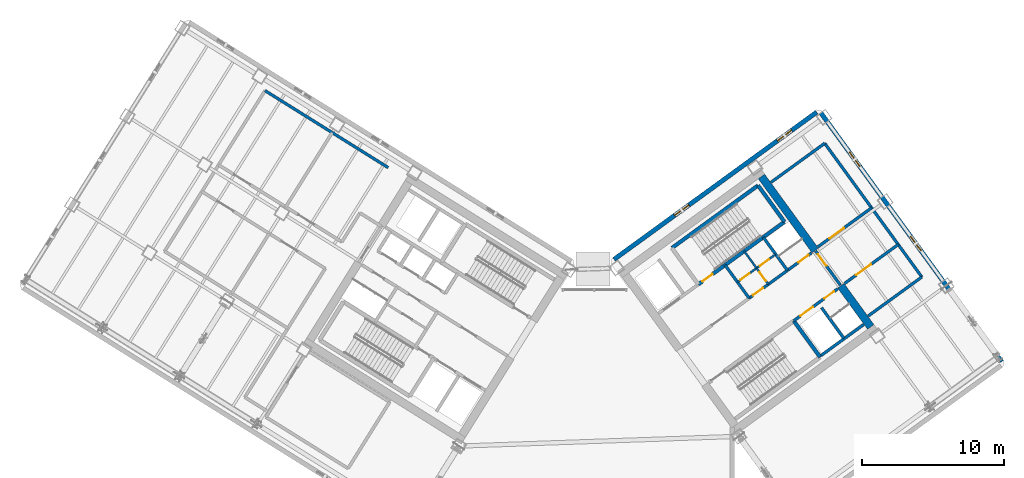
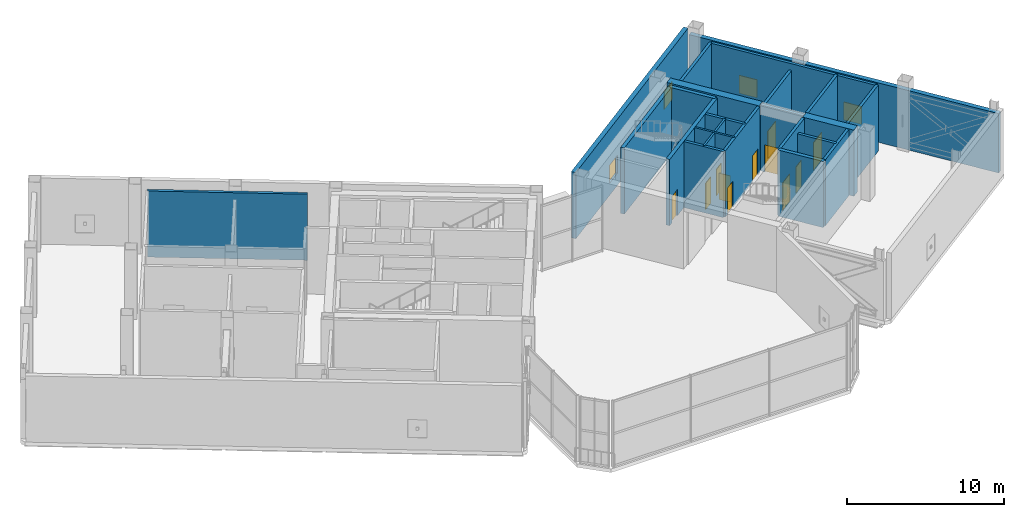
# One storey, part 23 of 30: 24 walls, 11 doors, 4 windows, 15 openings.
"""IFC4 building model written with IfcOpenShell, lengths in metres."""

import ifcopenshell
import ifcopenshell.guid

model = None  # the IFC model being written
_history = None  # IfcOwnerHistory: only IFC2X3 demands one
_inside = {}  # id of a spatial element -> (the spatial element, [elements in it])
_under = {}  # id of a project, library or spatial element -> (it, [spatial elements below it])
_declared = {}  # id of a project -> (the project, [libraries it declares])
_typed = {}  # id of a type object -> (the type object, [elements of that type])
_made_of = {}  # id of a material, layer set ... -> (it, [elements and type objects made of it])


def new_model(schema):
    """Start an empty IFC model of exactly this schema.

    Asked for "IFC4X3", IfcOpenShell would pick the latest addendum, in which some entities
    have other attributes; the version numbers below select the first issue.
    IFC2X3 requires an IfcOwnerHistory on every rooted entity: one is made here for all.
    """
    global model, _history
    if schema == "IFC4X3":
        model = ifcopenshell.file(schema_version=(4, 3, 0, 0))
    else:
        model = ifcopenshell.file(schema=schema)
    _inside.clear()
    _under.clear()
    _declared.clear()
    _typed.clear()
    _made_of.clear()
    _history = None
    if model.schema == "IFC2X3":
        org = make("IfcOrganization", Name="unknown")
        user = make(
            "IfcPersonAndOrganization",
            ThePerson=make("IfcPerson", FamilyName="unknown"),
            TheOrganization=org,
        )
        app = make(
            "IfcApplication",
            ApplicationDeveloper=org,
            Version="unknown",
            ApplicationFullName="unknown",
            ApplicationIdentifier="unknown",
        )
        _history = make(
            "IfcOwnerHistory",
            OwningUser=user,
            OwningApplication=app,
            ChangeAction="ADDED",
            CreationDate=0,
        )
    return model


def make(cls, **values):
    """One entity of the class cls with the attributes given. An attribute that is None is left unset."""
    return model.create_entity(
        cls, **{name: value for name, value in values.items() if value is not None}
    )


def rooted(cls, **values):
    """An entity with a GlobalId (a new one), such as an element, a storey or a relation."""
    return make(cls, GlobalId=ifcopenshell.guid.new(), OwnerHistory=_history, **values)


def si_unit(unit_type, name, prefix=None):
    """IfcSIUnit, for example si_unit("LENGTHUNIT", "METRE", prefix="MILLI")."""
    return make("IfcSIUnit", UnitType=unit_type, Prefix=prefix, Name=name)


def assignment(units):
    """IfcUnitAssignment: the units of a project."""
    return None if units is None else make("IfcUnitAssignment", Units=units)


def point(xyz):
    """IfcCartesianPoint."""
    return None if xyz is None else make("IfcCartesianPoint", Coordinates=xyz)


def direction(xyz):
    """IfcDirection."""
    return None if xyz is None else make("IfcDirection", DirectionRatios=xyz)


def frame(location, z_axis=None, x_axis=None):
    """IfcAxis2Placement3D, a coordinate frame: its origin and axes. An axis left out is left unset."""
    return make(
        "IfcAxis2Placement3D",
        Location=point(location),
        Axis=direction(z_axis),
        RefDirection=direction(x_axis),
    )


def frame_2d(location, x_axis=None):
    """IfcAxis2Placement2D, a coordinate frame in the plane: its origin and x axis."""
    return make(
        "IfcAxis2Placement2D", Location=point(location), RefDirection=direction(x_axis)
    )


def origin():
    """The frame at (0, 0, 0) with its axes left unset."""
    return frame((0.0, 0.0, 0.0))


def place(relative_to, where):
    """IfcLocalPlacement: puts the frame where relative to a parent placement (None: the world)."""
    return make(
        "IfcLocalPlacement", PlacementRelTo=relative_to, RelativePlacement=where
    )


def context(
    kind, dimensions, precision=None, world=None, true_north=None, identifier=None
):
    """IfcGeometricRepresentationContext, for example the 3D "Model" context."""
    return make(
        "IfcGeometricRepresentationContext",
        ContextIdentifier=identifier,
        ContextType=kind,
        CoordinateSpaceDimension=dimensions,
        Precision=precision,
        WorldCoordinateSystem=world,
        TrueNorth=true_north,
    )


def subcontext(parent, identifier, kind, view, scale=None):
    """IfcGeometricRepresentationSubContext, for example "Body" below "Model"."""
    return make(
        "IfcGeometricRepresentationSubContext",
        ContextIdentifier=identifier,
        ContextType=kind,
        ParentContext=parent,
        TargetScale=scale,
        TargetView=view,
    )


def project(units=None, contexts=None):
    """IfcProject with its units and contexts."""
    return rooted(
        "IfcProject",
        Name="project",
        RepresentationContexts=contexts,
        UnitsInContext=assignment(units),
    )


def spatial(cls, under=None, at=None, **own):
    """A site, building, storey or space (cls), placed at a placement, below another one or the project."""
    s = rooted(cls, ObjectPlacement=at, **own)
    if under is not None:
        _under.setdefault(under.id(), (under, []))[1].append(s)
    return s


def profile(cls, at=None, kind="AREA", **sizes):
    """A parametric profile (cls). Its sizes go by their IFC names, for example OverallWidth=200.0."""
    return make(cls, ProfileType=kind, Position=at, **sizes)


def rectangle(**sizes):
    """IfcRectangleProfileDef."""
    return profile("IfcRectangleProfileDef", **sizes)


def extrude(swept, where, along, depth):
    """IfcExtrudedAreaSolid: the profile swept, set in the frame where, extruded along a direction by depth."""
    return make(
        "IfcExtrudedAreaSolid",
        SweptArea=swept,
        Position=where,
        ExtrudedDirection=direction(along),
        Depth=depth,
    )


def shape(context_of_items, identifier, shape_type, items):
    """IfcShapeRepresentation: the items that make up one representation, for example the "Body"."""
    return make(
        "IfcShapeRepresentation",
        ContextOfItems=context_of_items,
        RepresentationIdentifier=identifier,
        RepresentationType=shape_type,
        Items=items,
    )


def source(mapping_origin, context_of_items, identifier, shape_type, items):
    """IfcRepresentationMap: a shape defined once, which mapped items show again and again."""
    return make(
        "IfcRepresentationMap",
        MappingOrigin=mapping_origin,
        MappedRepresentation=shape(context_of_items, identifier, shape_type, items),
    )


def transform(
    local_origin,
    x_axis=None,
    y_axis=None,
    z_axis=None,
    scale=None,
    scale2=None,
    scale3=None,
    uniform=True,
):
    """IfcCartesianTransformationOperator3D, or its non-uniform kind. x_axis, y_axis, z_axis: its Axis1, 2, 3."""
    if uniform:
        return make(
            "IfcCartesianTransformationOperator3D",
            Axis1=direction(x_axis),
            Axis2=direction(y_axis),
            LocalOrigin=point(local_origin),
            Scale=scale,
            Axis3=direction(z_axis),
        )
    return make(
        "IfcCartesianTransformationOperator3DnonUniform",
        Axis1=direction(x_axis),
        Axis2=direction(y_axis),
        LocalOrigin=point(local_origin),
        Scale=scale,
        Axis3=direction(z_axis),
        Scale2=scale2,
        Scale3=scale3,
    )


def mapped(mapping_source, mapping_target):
    """IfcMappedItem: shows the shape of a source again, moved by a transform."""
    return make(
        "IfcMappedItem", MappingSource=mapping_source, MappingTarget=mapping_target
    )


def material(Name=None, Category=None):
    """IfcMaterial."""
    return make("IfcMaterial", Name=Name, Category=Category)


def layer(
    of_material, thickness, ventilated=None, Name=None, Category=None, Priority=None
):
    """IfcMaterialLayer: one layer of a wall or slab, of a material (None: an air gap)."""
    return make(
        "IfcMaterialLayer",
        Material=of_material,
        LayerThickness=thickness,
        IsVentilated=ventilated,
        Name=Name,
        Category=Category,
        Priority=Priority,
    )


def layer_set(layers, Name=None):
    """IfcMaterialLayerSet."""
    return make("IfcMaterialLayerSet", MaterialLayers=layers, LayerSetName=Name)


def made_of(thing, what):
    """Note that an element or type object is made of a material, layer set ...; save() writes the relation."""
    if what is not None:
        _made_of.setdefault(what.id(), (what, []))[1].append(thing)
    return thing


def type_object(cls, material=None, **own):
    """A type object (cls), such as IfcWallType, which elements share."""
    return made_of(rooted(cls, **own), material)


def element(
    cls,
    number,
    at=None,
    inside=None,
    cuts=None,
    type_object=None,
    material=None,
    context=None,
    identifier="Body",
    shape_type=None,
    held_by="IfcProductDefinitionShape",
    body=None,
    shapes=None,
    **own,
):
    """One element of the class cls, such as IfcWall. Its Tag is "e" and its number.

    at: its placement. inside: the storey or other place that contains it. cuts: it is an
    opening in that element (IfcRelVoidsElement). A single representation is given by context,
    identifier, shape_type and body (its items); several are given by shapes. held_by: the class
    of the entity that holds the representations. save() writes the other relations.
    """
    e = rooted(cls, Tag="e%d" % number, ObjectPlacement=at, **own)
    if body is not None:
        shapes = [shape(context, identifier, shape_type, body)]
    if shapes is not None:
        e.Representation = make(held_by, Representations=shapes)
    if inside is not None:
        _inside.setdefault(inside.id(), (inside, []))[1].append(e)
    if cuts is not None:
        rooted(
            "IfcRelVoidsElement", RelatingBuildingElement=cuts, RelatedOpeningElement=e
        )
    if type_object is not None:
        _typed.setdefault(type_object.id(), (type_object, []))[1].append(e)
    return made_of(e, material)


def fill(opening, filler):
    """IfcRelFillsElement: the door or window that sits in an opening."""
    return rooted(
        "IfcRelFillsElement",
        RelatingOpeningElement=opening,
        RelatedBuildingElement=filler,
    )


def aggregate(whole, parts):
    """IfcRelAggregates: a whole, such as a stair, and the parts it consists of."""
    return rooted("IfcRelAggregates", RelatingObject=whole, RelatedObjects=parts)


def save(model, path):
    """Write the relations noted so far, then the file.

    IfcRelAggregates (storeys below a building ...), IfcRelContainedInSpatialStructure (elements
    in a storey), IfcRelDefinesByType, IfcRelAssociatesMaterial and IfcRelDeclares: one each for
    every whole, place, type object, material and project.
    """
    for whole, parts in _under.values():
        aggregate(whole, parts)
    for where, things in _inside.values():
        rooted(
            "IfcRelContainedInSpatialStructure",
            RelatedElements=things,
            RelatingStructure=where,
        )
    for kind, things in _typed.values():
        rooted("IfcRelDefinesByType", RelatedObjects=things, RelatingType=kind)
    for what, things in _made_of.values():
        rooted("IfcRelAssociatesMaterial", RelatedObjects=things, RelatingMaterial=what)
    for by, libraries in _declared.values():
        rooted("IfcRelDeclares", RelatingContext=by, RelatedDefinitions=libraries)
    model.write(path)


model = new_model("IFC4")

# Units and contexts
model_context = context("Model", 3, precision=1e-05, world=origin(), true_north=direction((0.0, 1.0)))
body_context = subcontext(model_context, "Body", "Model", "MODEL_VIEW")
ifc_project = project(units=[si_unit("LENGTHUNIT", "METRE"), si_unit("AREAUNIT", "SQUARE_METRE"), si_unit("VOLUMEUNIT", "CUBIC_METRE"), si_unit("PLANEANGLEUNIT", "RADIAN"), si_unit("MASSUNIT", "GRAM", prefix="KILO")], contexts=[model_context])

# Site, building, storey
site_placement = place(None, origin())
site = spatial("IfcSite", under=ifc_project, at=site_placement, CompositionType="ELEMENT")
building_placement = place(site_placement, origin())
building = spatial("IfcBuilding", under=site, at=building_placement, Name="Tlacorven Tower", CompositionType="ELEMENT")
storey_placement = place(building_placement, frame((0.0, 0.0, 169.5)))
storey = spatial("IfcBuildingStorey", under=building, at=storey_placement, Name="L43", CompositionType="ELEMENT", Elevation=169.5)

# Walls
ifc_material_1 = material(Name="Concrete C60/75", Category="concrete")
ifc_layer_1 = layer(ifc_material_1, 0.550048828125)
ifc_layer_set_1 = layer_set([ifc_layer_1], Name="Concrete C60/75")
wall_type_1 = type_object("IfcWallType", Name="WL-COR-550", PredefinedType="SHEAR", material=ifc_layer_set_1)
wall_1_placement = place(storey_placement, frame((61.9580078125, 20.453857421875, 0.0), z_axis=(0.0, 0.0, 1.0), x_axis=(-0.587802113096, 0.809004744015, 0.0)))
element("IfcWall", 1, at=wall_1_placement, inside=storey, type_object=wall_type_1, Name="L43 E core end wall E2.1", PredefinedType="SHEAR", context=body_context, shape_type="SweptSolid", body=[
    extrude(rectangle(XDim=3.574951171875, YDim=0.550048828125, at=frame_2d((1.78759765625, 0.0))), origin(), (0.0, 0.0, 1.0), 5.14990234375),
])
wall_2_placement = place(storey_placement, frame((58.06396484375, 25.8134765625, 0.0), z_axis=(0.0, 0.0, 1.0), x_axis=(-0.587764933797, 0.809031756236, 0.0)))
element("IfcWall", 2, at=wall_2_placement, inside=storey, type_object=wall_type_1, Name="L43 E core end wall E2.2", PredefinedType="SHEAR", context=body_context, shape_type="SweptSolid", body=[
    extrude(rectangle(XDim=6.425048828125, YDim=0.550048828125, at=frame_2d((3.21240234375, 0.0))), origin(), (0.0, 0.0, 1.0), 5.14990234375),
])

# Wall, openings, windows
ifc_material_2 = material(Name="Precast concrete C45/55", Category="concrete")
ifc_layer_2 = layer(ifc_material_2, 0.320068359375)
ifc_layer_set_2 = layer_set([ifc_layer_2], Name="Precast concrete C45/55")
wall_type_2 = type_object("IfcWallType", Name="WL-EXT-320", PredefinedType="STANDARD", material=ifc_layer_set_2)
wall_3_placement = place(storey_placement, frame((43.93798828125, 25.191650390625, 0.0), z_axis=(0.0, 0.0, 1.0), x_axis=(0.809016324578, 0.587786174187, 0.0)))
wall_3 = element("IfcWall", 3, at=wall_3_placement, inside=storey, type_object=wall_type_2, Name="L43 Masonry-Frame Recessed Facade Wall 4", PredefinedType="STANDARD", context=body_context, shape_type="SweptSolid", body=[
    extrude(rectangle(XDim=17.58740234375, YDim=0.320068359375, at=frame_2d((8.793701171875, 0.0))), origin(), (0.0, 0.0, 1.0), 5.14990234375),
])
opening_1_placement = place(wall_3_placement, frame((5.24951171875, 0.0, 0.949951171875)))
opening_1 = element("IfcOpeningElement", 4, at=opening_1_placement, cuts=wall_3, Name="Opening WN20", PredefinedType="OPENING", context=body_context, shape_type="SweptSolid", body=[
    extrude(rectangle(XDim=1.25, YDim=1.39990234375, at=frame_2d((0.625, 0.699951171875))), frame((0.0, 0.169921875, 0.0), z_axis=(0.0, -1.0, 0.0), x_axis=(1.0, 0.0, 0.0)), (0.0, 0.0, 1.0), 0.340087890625),
])
opening_2_placement = place(wall_3_placement, frame((14.168701171875, 0.0, 0.949951171875)))
opening_2 = element("IfcOpeningElement", 5, at=opening_2_placement, cuts=wall_3, Name="Opening WN20", PredefinedType="OPENING", context=body_context, shape_type="SweptSolid", body=[
    extrude(rectangle(XDim=1.25, YDim=1.39990234375, at=frame_2d((0.625, 0.699951171875))), frame((0.0, 0.169921875, 0.0), z_axis=(0.0, -1.0, 0.0), x_axis=(1.0, 0.0, 0.0)), (0.0, 0.0, 1.0), 0.340087890625),
])
ifc_material_3 = material(Name="Dark solar low-E double glazing in anodised aluminium frame", Category="aluminium")
window_type = type_object("IfcWindowType", Name="WN-CRN-1250X1500", PartitioningType="SINGLE_PANEL", PredefinedType="WINDOW", material=ifc_material_3)
shared_shape_1 = source(origin(), body_context, "Body", "SweptSolid", [
    extrude(rectangle(XDim=1.25, YDim=1.39990234375, at=frame_2d((0.625, 0.699951171875))), frame((0.0, 0.030029296875, 0.0), z_axis=(0.0, -1.0, 0.0), x_axis=(1.0, 0.0, 0.0)), (0.0, 0.0, 1.0), 0.06005859375),
])
window_1_placement = place(opening_1_placement, origin())
window_1 = element("IfcWindow", 6, at=window_1_placement, inside=storey, type_object=window_type, Name="L43 Acoustic Plant Facade Window 4.1", OverallHeight=1.39990234375, OverallWidth=1.25, PartitioningType="SINGLE_PANEL", PredefinedType="WINDOW", context=body_context, shape_type="MappedRepresentation", body=[
    mapped(shared_shape_1, transform((0.0, 0.0, 0.0), scale=1.0)),
])
fill(opening_1, window_1)
window_2_placement = place(opening_2_placement, origin())
window_2 = element("IfcWindow", 7, at=window_2_placement, inside=storey, type_object=window_type, Name="L43 Acoustic Plant Facade Window 4.2", OverallHeight=1.39990234375, OverallWidth=1.25, PartitioningType="SINGLE_PANEL", PredefinedType="WINDOW", context=body_context, shape_type="MappedRepresentation", body=[
    mapped(shared_shape_1, transform((0.0, 0.0, 0.0), scale=1.0)),
])
fill(opening_2, window_2)

wall_4_placement = place(storey_placement, frame((58.45458984375, 35.483642578125, 0.0), z_axis=(0.0, 0.0, 1.0), x_axis=(0.587783625747, -0.809018176127, 0.0)))
wall_4 = element("IfcWall", 8, at=wall_4_placement, inside=storey, type_object=wall_type_2, Name="L43 Masonry-Frame Recessed Facade Wall 5", PredefinedType="STANDARD", context=body_context, shape_type="SweptSolid", body=[
    extrude(rectangle(XDim=21.58740234375, YDim=0.320068359375, at=frame_2d((10.793701171875, 0.0))), origin(), (0.0, 0.0, 1.0), 4.625),
])
opening_3_placement = place(wall_4_placement, frame((3.418701171875, 0.0, 0.949951171875)))
opening_3 = element("IfcOpeningElement", 9, at=opening_3_placement, cuts=wall_4, Name="Opening WN20", PredefinedType="OPENING", context=body_context, shape_type="SweptSolid", body=[
    extrude(rectangle(XDim=1.25, YDim=1.39990234375, at=frame_2d((0.625, 0.699951171875))), frame((0.0, 0.169921875, 0.0), z_axis=(0.0, -1.0, 0.0), x_axis=(1.0, 0.0, 0.0)), (0.0, 0.0, 1.0), 0.340087890625),
])
opening_4_placement = place(wall_4_placement, frame((10.71875, 0.0, 0.949951171875)))
opening_4 = element("IfcOpeningElement", 10, at=opening_4_placement, cuts=wall_4, Name="Opening WN20", PredefinedType="OPENING", context=body_context, shape_type="SweptSolid", body=[
    extrude(rectangle(XDim=1.25, YDim=1.39990234375, at=frame_2d((0.625, 0.699951171875))), frame((0.0, 0.169921875, 0.0), z_axis=(0.0, -1.0, 0.0), x_axis=(1.0, 0.0, 0.0)), (0.0, 0.0, 1.0), 0.340087890625),
])
window_3_placement = place(opening_3_placement, origin())
window_3 = element("IfcWindow", 11, at=window_3_placement, inside=storey, type_object=window_type, Name="L43 Acoustic Plant Facade Window 5.1", OverallHeight=1.39990234375, OverallWidth=1.25, PartitioningType="SINGLE_PANEL", PredefinedType="WINDOW", context=body_context, shape_type="MappedRepresentation", body=[
    mapped(shared_shape_1, transform((0.0, 0.0, 0.0), scale=1.0)),
])
fill(opening_3, window_3)
window_4_placement = place(opening_4_placement, origin())
window_4 = element("IfcWindow", 12, at=window_4_placement, inside=storey, type_object=window_type, Name="L43 Acoustic Plant Facade Window 5.2", OverallHeight=1.39990234375, OverallWidth=1.25, PartitioningType="SINGLE_PANEL", PredefinedType="WINDOW", context=body_context, shape_type="MappedRepresentation", body=[
    mapped(shared_shape_1, transform((0.0, 0.0, 0.0), scale=1.0)),
])
fill(opening_4, window_4)

# Wall, opening, door
ifc_material_4 = material(Name="Moisture-resistant gypsum plumbing wall", Category="gypsum")
ifc_layer_3 = layer(ifc_material_4, 0.139892578125)
ifc_layer_set_3 = layer_set([ifc_layer_3], Name="Moisture-resistant gypsum plumbing wall")
wall_type_3 = type_object("IfcWallType", Name="WL-PLM-140", PredefinedType="PLUMBINGWALL", material=ifc_layer_set_3)
wall_5_placement = place(storey_placement, frame((54.767578125, 23.443359375, 0.0), z_axis=(0.0, 0.0, 1.0), x_axis=(-0.587736077749, 0.809052719489, 0.0)))
wall_5 = element("IfcWall", 13, at=wall_5_placement, inside=storey, type_object=wall_type_3, Name="L43 partition 42", PredefinedType="PLUMBINGWALL", context=body_context, shape_type="SweptSolid", body=[
    extrude(rectangle(XDim=1.39990234375, YDim=0.139892578125, at=frame_2d((0.699951171875, 0.0))), origin(), (0.0, 0.0, 1.0), 5.139892578125),
])
opening_5_placement = place(wall_5_placement, frame((0.280029296875, 0.0, 0.0)))
opening_5 = element("IfcOpeningElement", 14, at=opening_5_placement, cuts=wall_5, Name="Opening D22", PredefinedType="OPENING", context=body_context, shape_type="SweptSolid", body=[
    extrude(rectangle(XDim=0.780029296875, YDim=2.050048828125, at=frame_2d((0.39013671875, 1.02490234375))), frame((0.0, 0.080078125, 0.0), z_axis=(0.0, -1.0, 0.0), x_axis=(1.0, 0.0, 0.0)), (0.0, 0.0, 1.0), 0.159912109375),
])
ifc_material_5 = material(Name="Powder-coated aluminium and timber door", Category="wood")
door_type_1 = type_object("IfcDoorType", Name="DR-INT-WET-0780", OperationType="NOTDEFINED", PredefinedType="DOOR", material=ifc_material_5)
shared_shape_2 = source(origin(), body_context, "Body", "SweptSolid", [
    extrude(rectangle(XDim=0.780029296875, YDim=2.050048828125, at=frame_2d((0.39013671875, 1.02490234375))), frame((0.0, 0.02490234375, 0.0), z_axis=(0.0, -1.0, 0.0), x_axis=(1.0, 0.0, 0.0)), (0.0, 0.0, 1.0), 0.050048828125),
])
door_1_placement = place(opening_5_placement, origin())
door_1 = element("IfcDoor", 15, at=door_1_placement, inside=storey, type_object=door_type_1, Name="L43 door 020", OperationType="SINGLE_SWING_LEFT", OverallHeight=2.050048828125, OverallWidth=0.780029296875, PredefinedType="DOOR", context=body_context, shape_type="MappedRepresentation", body=[
    mapped(shared_shape_2, transform((0.0, 0.0, 0.0), scale=1.0)),
])
fill(opening_5, door_1)

# Wall
wall_6_placement = place(storey_placement, frame((53.94482421875, 24.575927734375, 0.0), z_axis=(0.0, 0.0, 1.0), x_axis=(-0.587897037186, 0.808935766095, 0.0)))
element("IfcWall", 16, at=wall_6_placement, inside=storey, type_object=wall_type_3, Name="L43 partition 43", PredefinedType="PLUMBINGWALL", context=body_context, shape_type="SweptSolid", body=[
    extrude(rectangle(XDim=1.47998046875, YDim=0.139892578125, at=frame_2d((0.739990234375, 0.0))), origin(), (0.0, 0.0, 1.0), 5.139892578125),
])

# Wall, openings, doors
wall_7_placement = place(storey_placement, frame((52.617919921875, 23.612060546875, 0.0), z_axis=(0.0, 0.0, 1.0), x_axis=(0.809009587469, 0.587795446889, 0.0)))
wall_7 = element("IfcWall", 17, at=wall_7_placement, inside=storey, type_object=wall_type_3, Name="L43 partition 44", PredefinedType="PLUMBINGWALL", context=body_context, shape_type="SweptSolid", body=[
    extrude(rectangle(XDim=3.280029296875, YDim=0.139892578125, at=frame_2d((1.64013671875, 0.0))), origin(), (0.0, 0.0, 1.0), 5.139892578125),
])
opening_6_placement = place(wall_7_placement, frame((0.25, 0.0, 0.0)))
opening_6 = element("IfcOpeningElement", 18, at=opening_6_placement, cuts=wall_7, Name="Opening D22", PredefinedType="OPENING", context=body_context, shape_type="SweptSolid", body=[
    extrude(rectangle(XDim=0.780029296875, YDim=2.050048828125, at=frame_2d((0.39013671875, 1.02490234375))), frame((0.0, 0.080078125, 0.0), z_axis=(0.0, -1.0, 0.0), x_axis=(1.0, 0.0, 0.0)), (0.0, 0.0, 1.0), 0.159912109375),
])
opening_7_placement = place(wall_7_placement, frame((1.919921875, 0.0, 0.0)))
opening_7 = element("IfcOpeningElement", 19, at=opening_7_placement, cuts=wall_7, Name="Opening D22", PredefinedType="OPENING", context=body_context, shape_type="SweptSolid", body=[
    extrude(rectangle(XDim=0.780029296875, YDim=2.050048828125, at=frame_2d((0.39013671875, 1.02490234375))), frame((0.0, 0.080078125, 0.0), z_axis=(0.0, -1.0, 0.0), x_axis=(1.0, 0.0, 0.0)), (0.0, 0.0, 1.0), 0.159912109375),
])
door_2_placement = place(opening_6_placement, origin())
door_2 = element("IfcDoor", 20, at=door_2_placement, inside=storey, type_object=door_type_1, Name="L43 door 021", OperationType="SINGLE_SWING_RIGHT", OverallHeight=2.050048828125, OverallWidth=0.780029296875, PredefinedType="DOOR", context=body_context, shape_type="MappedRepresentation", body=[
    mapped(shared_shape_2, transform((0.0, 0.0, 0.0), scale=1.0)),
])
fill(opening_6, door_2)
door_3_placement = place(opening_7_placement, origin())
door_3 = element("IfcDoor", 21, at=door_3_placement, inside=storey, type_object=door_type_1, Name="L43 door 022", OperationType="SINGLE_SWING_LEFT", OverallHeight=2.050048828125, OverallWidth=0.780029296875, PredefinedType="DOOR", context=body_context, shape_type="MappedRepresentation", body=[
    mapped(shared_shape_2, transform((0.0, 0.0, 0.0), scale=1.0)),
])
fill(opening_7, door_3)

ifc_material_6 = material(Name="Concrete C40/50", Category="concrete")
ifc_layer_4 = layer(ifc_material_6, 0.199951171875)
ifc_layer_set_4 = layer_set([ifc_layer_4], Name="Concrete C40/50")
wall_type_4 = type_object("IfcWallType", Name="WL-SHF-200", PredefinedType="STANDARD", material=ifc_layer_set_4)
wall_8_placement = place(storey_placement, frame((56.552978515625, 20.884033203125, 0.0), z_axis=(0.0, 0.0, 1.0), x_axis=(0.809023564264, 0.58777620951, 0.0)))
wall_8 = element("IfcWall", 22, at=wall_8_placement, inside=storey, type_object=wall_type_4, Name="L43 Core E South Lift Shaft Wall", PredefinedType="STANDARD", context=body_context, shape_type="SweptSolid", body=[
    extrude(rectangle(XDim=3.818115234375, YDim=0.199951171875, at=frame_2d((1.9091796875, 0.0))), origin(), (0.0, 0.0, 1.0), 5.139892578125),
])
opening_8_placement = place(wall_8_placement, frame((0.570068359375, 0.0, 0.0)))
opening_8 = element("IfcOpeningElement", 23, at=opening_8_placement, cuts=wall_8, Name="Opening LD01", PredefinedType="OPENING", context=body_context, shape_type="SweptSolid", body=[
    extrude(rectangle(XDim=1.10009765625, YDim=2.14990234375, at=frame_2d((0.550048828125, 1.074951171875))), frame((0.0, 0.10986328125, 0.0), z_axis=(0.0, -1.0, 0.0), x_axis=(1.0, 0.0, 0.0)), (0.0, 0.0, 1.0), 0.219970703125),
])
opening_9_placement = place(wall_8_placement, frame((2.64990234375, 0.0, 0.0)))
opening_9 = element("IfcOpeningElement", 24, at=opening_9_placement, cuts=wall_8, Name="Opening D19", PredefinedType="OPENING", context=body_context, shape_type="SweptSolid", body=[
    extrude(rectangle(XDim=0.860107421875, YDim=2.050048828125, at=frame_2d((0.43017578125, 1.02490234375))), frame((0.0, 0.10986328125, 0.0), z_axis=(0.0, -1.0, 0.0), x_axis=(1.0, 0.0, 0.0)), (0.0, 0.0, 1.0), 0.219970703125),
])
ifc_material_7 = material(Name="Fire-rated steel door assembly", Category="steel")
door_type_2 = type_object("IfcDoorType", Name="DR-RSR-FD60-0860", OperationType="NOTDEFINED", PredefinedType="DOOR", material=ifc_material_7)
shared_shape_3 = source(origin(), body_context, "Body", "SweptSolid", [
    extrude(rectangle(XDim=0.860107421875, YDim=2.050048828125, at=frame_2d((0.43017578125, 1.02490234375))), frame((0.0, 0.02490234375, 0.0), z_axis=(0.0, -1.0, 0.0), x_axis=(1.0, 0.0, 0.0)), (0.0, 0.0, 1.0), 0.050048828125),
])
door_4_placement = place(opening_9_placement, origin())
door_4 = element("IfcDoor", 25, at=door_4_placement, inside=storey, type_object=door_type_2, Name="L43 Smoke Extract Riser Access Door", OperationType="SINGLE_SWING_RIGHT", OverallHeight=2.050048828125, OverallWidth=0.860107421875, PredefinedType="DOOR", context=body_context, shape_type="MappedRepresentation", body=[
    mapped(shared_shape_3, transform((0.0, 0.0, 0.0), scale=1.0)),
])
fill(opening_9, door_4)
door_type_3 = type_object("IfcDoorType", Name="DR-LFT-SLID-1100", OperationType="DOUBLE_DOOR_SLIDING", PredefinedType="DOOR", material=ifc_material_7)
shared_shape_4 = source(origin(), body_context, "Body", "SweptSolid", [
    extrude(rectangle(XDim=1.10009765625, YDim=2.14990234375, at=frame_2d((0.550048828125, 1.074951171875))), frame((0.0, 0.02490234375, 0.0), z_axis=(0.0, -1.0, 0.0), x_axis=(1.0, 0.0, 0.0)), (0.0, 0.0, 1.0), 0.050048828125),
])
door_5_placement = place(opening_8_placement, origin())
door_5 = element("IfcDoor", 26, at=door_5_placement, inside=storey, type_object=door_type_3, Name="L43 Lift PL-M4 Sliding Landing Door", OperationType="DOUBLE_DOOR_SLIDING", OverallHeight=2.14990234375, OverallWidth=1.10009765625, PredefinedType="DOOR", context=body_context, shape_type="MappedRepresentation", body=[
    mapped(shared_shape_4, transform((0.0, 0.0, 0.0), scale=1.0)),
])
fill(opening_8, door_5)

# Walls
wall_9_placement = place(storey_placement, frame((60.066650390625, 19.654541015625, 0.0), z_axis=(0.0, 0.0, 1.0), x_axis=(-0.587800520745, 0.809005900975, 0.0)))
element("IfcWall", 27, at=wall_9_placement, inside=storey, type_object=wall_type_4, Name="L43 partition 35", PredefinedType="STANDARD", context=body_context, shape_type="SweptSolid", body=[
    extrude(rectangle(XDim=2.659912109375, YDim=0.199951171875, at=frame_2d((1.330078125, 0.0))), origin(), (0.0, 0.0, 1.0), 5.139892578125),
])
wall_10_placement = place(storey_placement, frame((58.47216796875, 18.446533203125, 0.0), z_axis=(0.0, 0.0, 1.0), x_axis=(0.809018631237, 0.587782999339, 0.0)))
element("IfcWall", 28, at=wall_10_placement, inside=storey, type_object=wall_type_4, Name="L43 partition 37", PredefinedType="STANDARD", context=body_context, shape_type="SweptSolid", body=[
    extrude(rectangle(XDim=3.697998046875, YDim=0.199951171875, at=frame_2d((1.84912109375, 0.0))), origin(), (0.0, 0.0, 1.0), 5.139892578125),
])
wall_11_placement = place(storey_placement, frame((53.424560546875, 22.467529296875, 0.0), z_axis=(0.0, 0.0, 1.0), x_axis=(-0.5877230039, 0.809062216821, 0.0)))
element("IfcWall", 29, at=wall_11_placement, inside=storey, type_object=wall_type_4, Name="L43 partition 39", PredefinedType="STANDARD", context=body_context, shape_type="SweptSolid", body=[
    extrude(rectangle(XDim=2.8798828125, YDim=0.199951171875, at=frame_2d((1.43994140625, 0.0))), origin(), (0.0, 0.0, 1.0), 5.139892578125),
])
wall_12_placement = place(storey_placement, frame((56.110595703125, 24.4189453125, 0.0), z_axis=(0.0, 0.0, 1.0), x_axis=(-0.58777848983, 0.809021907548, 0.0)))
element("IfcWall", 30, at=wall_12_placement, inside=storey, type_object=wall_type_4, Name="L43 partition 40", PredefinedType="STANDARD", context=body_context, shape_type="SweptSolid", body=[
    extrude(rectangle(XDim=2.880126953125, YDim=0.199951171875, at=frame_2d((1.43994140625, 0.0))), origin(), (0.0, 0.0, 1.0), 5.139892578125),
])

# Wall, openings, doors
wall_13_placement = place(storey_placement, frame((53.424560546875, 22.467529296875, 0.0), z_axis=(0.0, 0.0, 1.0), x_axis=(0.809024377198, 0.587775090574, 0.0)))
wall_13 = element("IfcWall", 31, at=wall_13_placement, inside=storey, type_object=wall_type_4, Name="L43 Core E North Service Wall", PredefinedType="STANDARD", context=body_context, shape_type="SweptSolid", body=[
    extrude(rectangle(XDim=5.41796875, YDim=0.199951171875, at=frame_2d((2.708984375, 0.0))), origin(), (0.0, 0.0, 1.0), 5.139892578125),
])
opening_10_placement = place(wall_13_placement, frame((4.280029296875, 0.0, 0.0)))
opening_10 = element("IfcOpeningElement", 32, at=opening_10_placement, cuts=wall_13, Name="Opening D19", PredefinedType="OPENING", context=body_context, shape_type="SweptSolid", body=[
    extrude(rectangle(XDim=0.860107421875, YDim=2.050048828125, at=frame_2d((0.43017578125, 1.02490234375))), frame((0.0, 0.10986328125, 0.0), z_axis=(0.0, -1.0, 0.0), x_axis=(1.0, 0.0, 0.0)), (0.0, 0.0, 1.0), 0.219970703125),
])
opening_11_placement = place(wall_13_placement, frame((0.35009765625, 0.0, 0.0)))
opening_11 = element("IfcOpeningElement", 33, at=opening_11_placement, cuts=wall_13, Name="Opening D19", PredefinedType="OPENING", context=body_context, shape_type="SweptSolid", body=[
    extrude(rectangle(XDim=0.860107421875, YDim=2.050048828125, at=frame_2d((0.43017578125, 1.02490234375))), frame((0.0, 0.10986328125, 0.0), z_axis=(0.0, -1.0, 0.0), x_axis=(1.0, 0.0, 0.0)), (0.0, 0.0, 1.0), 0.219970703125),
])
door_6_placement = place(opening_10_placement, frame((0.860107421875, 0.0, 0.0), z_axis=(0.0, 0.0, 1.0), x_axis=(-1.0, 0.0, 0.0)))
door_6 = element("IfcDoor", 34, at=door_6_placement, inside=storey, type_object=door_type_2, Name="L43 Electrical Riser Access Door E", OperationType="SINGLE_SWING_LEFT", OverallHeight=2.050048828125, OverallWidth=0.860107421875, PredefinedType="DOOR", context=body_context, shape_type="MappedRepresentation", body=[
    mapped(shared_shape_3, transform((0.0, 0.0, 0.0), scale=1.0)),
])
fill(opening_10, door_6)
door_7_placement = place(opening_11_placement, frame((0.860107421875, 0.0, 0.0), z_axis=(0.0, 0.0, 1.0), x_axis=(-1.0, 0.0, 0.0)))
door_7 = element("IfcDoor", 35, at=door_7_placement, inside=storey, type_object=door_type_2, Name="L43 Cleaning Room Access Door E", OperationType="SINGLE_SWING_RIGHT", OverallHeight=2.050048828125, OverallWidth=0.860107421875, PredefinedType="DOOR", context=body_context, shape_type="MappedRepresentation", body=[
    mapped(shared_shape_3, transform((0.0, 0.0, 0.0), scale=1.0)),
])
fill(opening_11, door_7)

# Wall
wall_14_placement = place(storey_placement, frame((28.0908203125, 31.6328125, 0.0), z_axis=(0.0, 0.0, 1.0), x_axis=(-0.848049399204, 0.529917178916, 0.0)))
element("IfcWall", 36, at=wall_14_placement, inside=storey, type_object=wall_type_4, Name="L43 partition 60", PredefinedType="STANDARD", context=body_context, shape_type="SweptSolid", body=[
    extrude(rectangle(XDim=10.19970703125, YDim=0.199951171875, at=frame_2d((5.099853515625, 0.0))), origin(), (0.0, 0.0, 1.0), 5.139892578125),
])

# Wall, opening, door
wall_15_placement = place(storey_placement, frame((59.827392578125, 23.386474609375, 0.0), z_axis=(0.0, 0.0, 1.0), x_axis=(-0.587803840107, 0.809003489211, 0.0)))
wall_15 = element("IfcWall", 37, at=wall_15_placement, inside=storey, type_object=wall_type_4, Name="L43 partition 63", PredefinedType="STANDARD", context=body_context, shape_type="SweptSolid", body=[
    extrude(rectangle(XDim=2.960205078125, YDim=0.199951171875, at=frame_2d((1.47998046875, 0.0))), origin(), (0.0, 0.0, 1.0), 5.139892578125),
])
opening_12_placement = place(wall_15_placement, frame((1.679931640625, 0.0, 0.0)))
opening_12 = element("IfcOpeningElement", 38, at=opening_12_placement, cuts=wall_15, Name="Opening D11", PredefinedType="OPENING", context=body_context, shape_type="SweptSolid", body=[
    extrude(rectangle(XDim=1.0, YDim=2.10009765625, at=frame_2d((0.5, 1.050048828125))), frame((0.0, 0.10986328125, 0.0), z_axis=(0.0, -1.0, 0.0), x_axis=(1.0, 0.0, 0.0)), (0.0, 0.0, 1.0), 0.219970703125),
])
door_type_4 = type_object("IfcDoorType", Name="DR-FLT-FD60-1000", OperationType="NOTDEFINED", PredefinedType="DOOR", material=ifc_material_7)
shared_shape_5 = source(origin(), body_context, "Body", "SweptSolid", [
    extrude(rectangle(XDim=1.0, YDim=2.10009765625, at=frame_2d((0.5, 1.050048828125))), frame((0.0, 0.02490234375, 0.0), z_axis=(0.0, -1.0, 0.0), x_axis=(1.0, 0.0, 0.0)), (0.0, 0.0, 1.0), 0.050048828125),
])
door_8_placement = place(opening_12_placement, origin())
door_8 = element("IfcDoor", 39, at=door_8_placement, inside=storey, type_object=door_type_4, Name="L43 door 029", OperationType="SINGLE_SWING_LEFT", OverallHeight=2.10009765625, OverallWidth=1.0, PredefinedType="DOOR", context=body_context, shape_type="MappedRepresentation", body=[
    mapped(shared_shape_5, transform((0.0, 0.0, 0.0), scale=1.0)),
])
fill(opening_12, door_8)

# Walls
for number, where, z_axis, x_axis, name in (
    (40, (61.7763671875, 21.2177734375, 0.0), (0.0, 0.0, 1.0), (0.808996653969, 0.587813247441, 0.0), "L43 partition 64"),
    (41, (54.9580078125, 30.6025390625, 0.0), (0.0, 0.0, 1.0), (0.809021578494, 0.587778942742, 0.0), "L43 partition 65"),
):
    element("IfcWall", number, at=place(storey_placement, frame(where, z_axis=z_axis, x_axis=x_axis)), inside=storey, type_object=wall_type_4, Name=name, PredefinedType="STANDARD", context=body_context, shape_type="SweptSolid", body=[
        extrude(rectangle(XDim=4.657958984375, YDim=0.199951171875, at=frame_2d((2.3291015625, 0.0))), origin(), (0.0, 0.0, 1.0), 5.139892578125),
    ])
wall_16_placement = place(storey_placement, frame((65.544677734375, 23.955810546875, 0.0), z_axis=(0.0, 0.0, 1.0), x_axis=(-0.587791199948, 0.809012673117, 0.0)))
element("IfcWall", 42, at=wall_16_placement, inside=storey, type_object=wall_type_4, Name="L43 partition 66", PredefinedType="STANDARD", context=body_context, shape_type="SweptSolid", body=[
    extrude(rectangle(XDim=11.599853515625, YDim=0.199951171875, at=frame_2d((5.7998046875, 0.0))), origin(), (0.0, 0.0, 1.0), 5.139892578125),
])

# Wall, opening, door
wall_17_placement = place(storey_placement, frame((58.24951171875, 26.072021484375, 0.0), z_axis=(0.0, 0.0, 1.0), x_axis=(0.809039685802, 0.587754018955, 0.0)))
wall_17 = element("IfcWall", 43, at=wall_17_placement, inside=storey, type_object=wall_type_4, Name="L43 partition 67", PredefinedType="STANDARD", context=body_context, shape_type="SweptSolid", body=[
    extrude(rectangle(XDim=4.657958984375, YDim=0.199951171875, at=frame_2d((2.3291015625, 0.0))), origin(), (0.0, 0.0, 1.0), 4.625),
])
opening_13_placement = place(wall_17_placement, frame((0.998046875, 0.0, 0.0)))
opening_13 = element("IfcOpeningElement", 44, at=opening_13_placement, cuts=wall_17, Name="Opening D08", PredefinedType="OPENING", context=body_context, shape_type="SweptSolid", body=[
    extrude(rectangle(XDim=1.25, YDim=2.14990234375, at=frame_2d((0.625, 1.074951171875))), frame((0.0, 0.10986328125, 0.0), z_axis=(0.0, -1.0, 0.0), x_axis=(1.0, 0.0, 0.0)), (0.0, 0.0, 1.0), 0.219970703125),
])
door_type_5 = type_object("IfcDoorType", Name="DR-STR-FD90-1250", OperationType="NOTDEFINED", PredefinedType="DOOR", material=ifc_material_7)
shared_shape_6 = source(origin(), body_context, "Body", "SweptSolid", [
    extrude(rectangle(XDim=1.25, YDim=2.14990234375, at=frame_2d((0.625, 1.074951171875))), frame((0.0, 0.02490234375, 0.0), z_axis=(0.0, -1.0, 0.0), x_axis=(1.0, 0.0, 0.0)), (0.0, 0.0, 1.0), 0.050048828125),
])
door_9_placement = place(opening_13_placement, origin())
door_9 = element("IfcDoor", 45, at=door_9_placement, inside=storey, type_object=door_type_5, Name="L43 door 030", OperationType="SINGLE_SWING_RIGHT", OverallHeight=2.14990234375, OverallWidth=1.25, PredefinedType="DOOR", context=body_context, shape_type="MappedRepresentation", body=[
    mapped(shared_shape_6, transform((0.0, 0.0, 0.0), scale=1.0)),
])
fill(opening_13, door_9)

wall_18_placement = place(storey_placement, frame((60.11865234375, 23.499267578125, 0.0), z_axis=(0.0, 0.0, 1.0), x_axis=(0.809014762833, 0.587788323735, 0.0)))
wall_18 = element("IfcWall", 46, at=wall_18_placement, inside=storey, type_object=wall_type_4, Name="L43 partition 68", PredefinedType="STANDARD", context=body_context, shape_type="SweptSolid", body=[
    extrude(rectangle(XDim=4.658203125, YDim=0.199951171875, at=frame_2d((2.3291015625, 0.0))), origin(), (0.0, 0.0, 1.0), 5.139892578125),
])
opening_14_placement = place(wall_18_placement, frame((0.998046875, 0.0, 0.0)))
opening_14 = element("IfcOpeningElement", 47, at=opening_14_placement, cuts=wall_18, Name="Opening D18", PredefinedType="OPENING", context=body_context, shape_type="SweptSolid", body=[
    extrude(rectangle(XDim=1.300048828125, YDim=2.14990234375, at=frame_2d((0.64990234375, 1.074951171875))), frame((0.0, 0.10986328125, 0.0), z_axis=(0.0, -1.0, 0.0), x_axis=(1.0, 0.0, 0.0)), (0.0, 0.0, 1.0), 0.219970703125),
])
door_type_6 = type_object("IfcDoorType", Name="DR-MEP-FD60-1300", OperationType="DOUBLE_DOOR_SINGLE_SWING", PredefinedType="DOOR", material=ifc_material_7)
shared_shape_7 = source(origin(), body_context, "Body", "SweptSolid", [
    extrude(rectangle(XDim=1.300048828125, YDim=2.14990234375, at=frame_2d((0.64990234375, 1.074951171875))), frame((0.0, 0.02490234375, 0.0), z_axis=(0.0, -1.0, 0.0), x_axis=(1.0, 0.0, 0.0)), (0.0, 0.0, 1.0), 0.050048828125),
])
door_10_placement = place(opening_14_placement, frame((1.300048828125, 0.0, 0.0), z_axis=(0.0, 0.0, 1.0), x_axis=(-1.0, 0.0, 0.0)))
door_10 = element("IfcDoor", 48, at=door_10_placement, inside=storey, type_object=door_type_6, Name="L43 door 031", OperationType="DOUBLE_DOOR_SINGLE_SWING", OverallHeight=2.14990234375, OverallWidth=1.300048828125, PredefinedType="DOOR", context=body_context, shape_type="MappedRepresentation", body=[
    mapped(shared_shape_7, transform((0.0, 0.0, 0.0), scale=1.0)),
])
fill(opening_14, door_10)

# Wall
ifc_material_8 = material(Name="Concrete C50/60", Category="concrete")
ifc_layer_5 = layer(ifc_material_8, 0.260009765625)
ifc_layer_set_5 = layer_set([ifc_layer_5], Name="Concrete C50/60")
wall_type_5 = type_object("IfcWallType", Name="WL-STW-260", PredefinedType="SHEAR", material=ifc_layer_set_5)
wall_19_placement = place(storey_placement, frame((48.005615234375, 25.996337890625, 0.0), z_axis=(0.0, 0.0, 1.0), x_axis=(0.80901903764, 0.587782439969, 0.0)))
element("IfcWall", 49, at=wall_19_placement, inside=storey, type_object=wall_type_5, Name="L43 Stair E1 Far Shear Wall", PredefinedType="SHEAR", context=body_context, shape_type="SweptSolid", body=[
    extrude(rectangle(XDim=7.4599609375, YDim=0.260009765625, at=frame_2d((3.72998046875, 0.0))), origin(), (0.0, 0.0, 1.0), 5.14990234375),
])

# Wall, opening, door
wall_20_placement = place(storey_placement, frame((49.863037109375, 23.439697265625, 0.0), z_axis=(0.0, 0.0, 1.0), x_axis=(0.809003474932, 0.587803859759, 0.0)))
wall_20 = element("IfcWall", 50, at=wall_20_placement, inside=storey, type_object=wall_type_5, Name="L43 Stair E1 Lobby Shear Wall", PredefinedType="SHEAR", context=body_context, shape_type="SweptSolid", body=[
    extrude(rectangle(XDim=7.4599609375, YDim=0.260009765625, at=frame_2d((3.72998046875, 0.0))), origin(), (0.0, 0.0, 1.0), 5.14990234375),
])
opening_15_placement = place(wall_20_placement, frame((0.360107421875, 0.0, 0.0)))
opening_15 = element("IfcOpeningElement", 51, at=opening_15_placement, cuts=wall_20, Name="Opening D19", PredefinedType="OPENING", context=body_context, shape_type="SweptSolid", body=[
    extrude(rectangle(XDim=0.860107421875, YDim=2.050048828125, at=frame_2d((0.43017578125, 1.02490234375))), frame((0.0, 0.14013671875, 0.0), z_axis=(0.0, -1.0, 0.0), x_axis=(1.0, 0.0, 0.0)), (0.0, 0.0, 1.0), 0.280029296875),
])
door_11_placement = place(opening_15_placement, frame((0.860107421875, 0.0, 0.0), z_axis=(0.0, 0.0, 1.0), x_axis=(-1.0, 0.0, 0.0)))
door_11 = element("IfcDoor", 52, at=door_11_placement, inside=storey, type_object=door_type_2, Name="L43 Exit Stair E1 Fire Door", OperationType="SINGLE_SWING_LEFT", OverallHeight=2.050048828125, OverallWidth=0.860107421875, PredefinedType="DOOR", context=body_context, shape_type="MappedRepresentation", body=[
    mapped(shared_shape_3, transform((0.0, 0.0, 0.0), scale=1.0)),
])
fill(opening_15, door_11)

# Walls
wall_21_placement = place(storey_placement, frame((55.906494140625, 27.83056640625, 0.0), z_axis=(0.0, 0.0, 1.0), x_axis=(-0.587804123638, 0.809003283204, 0.0)))
element("IfcWall", 53, at=wall_21_placement, inside=storey, type_object=wall_type_5, Name="L43 Stair E1 East Shear Wall", PredefinedType="SHEAR", context=body_context, shape_type="SweptSolid", body=[
    extrude(rectangle(XDim=3.159912109375, YDim=0.260009765625, at=frame_2d((1.580078125, 0.0))), origin(), (0.0, 0.0, 1.0), 5.14990234375),
])
wall_22_placement = place(storey_placement, frame((58.410400390625, 18.327392578125, 0.0), z_axis=(0.0, 0.0, 1.0), x_axis=(-0.58776738483, 0.809029975545, 0.0)))
element("IfcWall", 54, at=wall_22_placement, inside=storey, type_object=wall_type_5, Name="L43 Stair E2 East Shear Wall", PredefinedType="SHEAR", context=body_context, shape_type="SweptSolid", body=[
    extrude(rectangle(XDim=3.16015625, YDim=0.260009765625, at=frame_2d((1.580078125, 0.0))), origin(), (0.0, 0.0, 1.0), 5.14990234375),
])

save(model, "model.ifc")
